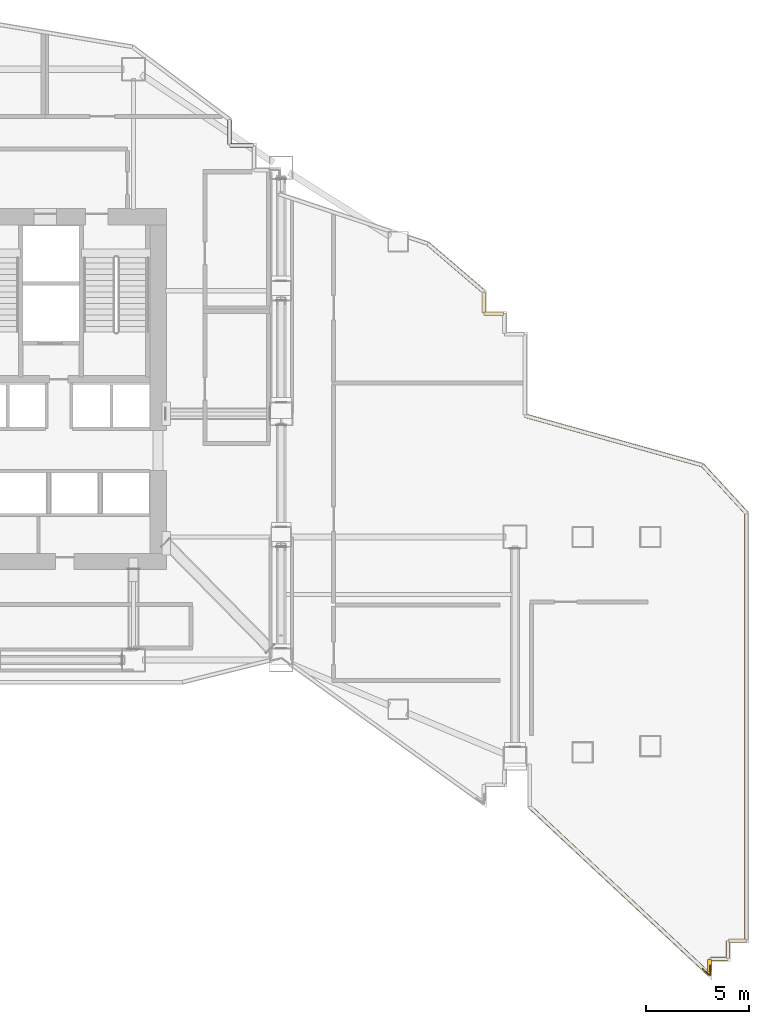
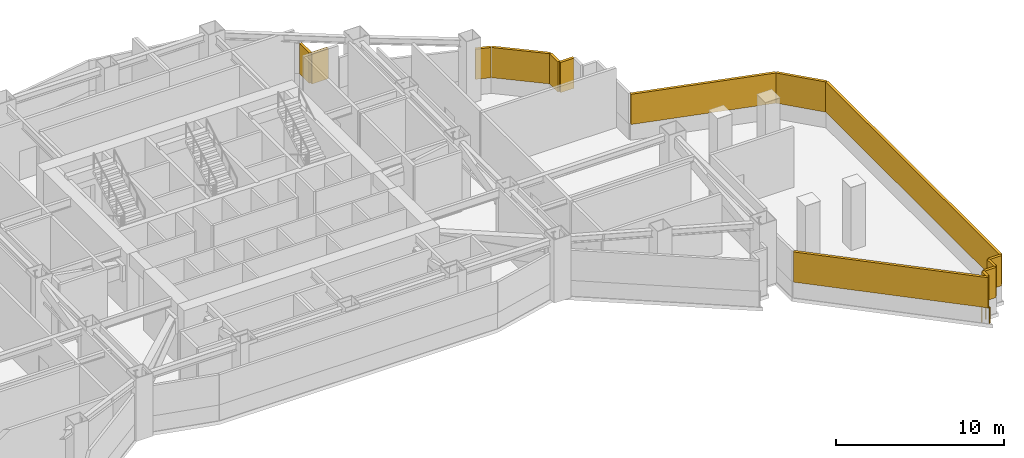
# One storey, part 23 of 23: 14 shading devices, 2 railings.
"""IFC4 building model written with IfcOpenShell, lengths in metres."""

from ifc_helpers import new_model, si_unit, direction, frame, origin, origin_2d, place, context, subcontext, project, spatial, rectangle, circle, extrude, material, type_object, element, save


model = new_model("IFC4")

# Units and contexts
model_context = context("Model", 3, precision=1e-05, world=origin(), true_north=direction((0.0, 1.0)))
body_context = subcontext(model_context, "Body", "Model", "MODEL_VIEW")
ifc_project = project(units=[si_unit("LENGTHUNIT", "METRE"), si_unit("AREAUNIT", "SQUARE_METRE"), si_unit("VOLUMEUNIT", "CUBIC_METRE"), si_unit("PLANEANGLEUNIT", "RADIAN"), si_unit("MASSUNIT", "GRAM", prefix="KILO")], contexts=[model_context])

# Site, building, storey
site_placement = place(None, origin())
site = spatial("IfcSite", under=ifc_project, at=site_placement, CompositionType="ELEMENT")
building_placement = place(site_placement, origin())
building = spatial("IfcBuilding", under=site, at=building_placement, Name="Haolan Belvedere Tower", CompositionType="ELEMENT")
storey_placement = place(building_placement, frame((0.0, 0.0, 89.39990234375)))
storey = spatial("IfcBuildingStorey", under=building, at=storey_placement, Name="L22", CompositionType="ELEMENT", Elevation=89.39990234375)

# Railings
ifc_material_1 = material(Name="Galvanised powder-coated steel guardrail", Category="steel")
railing_type = type_object("IfcRailingType", Name="RL-REF-GRD-1150", PredefinedType="GUARDRAIL", material=ifc_material_1)
railing_1_placement = place(storey_placement, frame((73.7099609375, 6.70703125, 0.0)))
element("IfcRailing", 1, at=railing_1_placement, inside=storey, type_object=railing_type, Name="L22 refuge corner safety guardrail 6A", PredefinedType="GUARDRAIL", context=body_context, shape_type="SweptSolid", body=[
    extrude(circle(Radius=0.02392578125, at=origin_2d()), frame((0.0, 0.0, 1.1259765625), z_axis=(0.0, -1.0, 0.0), x_axis=(1.0, 0.0, 0.0)), (0.0, 0.0, 1.0), 0.469970703125),
    extrude(circle(Radius=0.02099609375, at=origin_2d()), origin(), (0.0, 0.0, 1.0), 1.101806640625),
    extrude(circle(Radius=0.02099609375, at=origin_2d()), frame((0.0, -0.469970703125, 0.0)), (0.0, 0.0, 1.0), 1.101806640625),
])
railing_2_placement = place(storey_placement, frame((73.68798828125, 6.2275390625, 0.0)))
element("IfcRailing", 2, at=railing_2_placement, inside=storey, type_object=railing_type, Name="L22 refuge corner safety guardrail 6B", PredefinedType="GUARDRAIL", context=body_context, shape_type="SweptSolid", body=[
    extrude(circle(Radius=0.02392578125, at=origin_2d()), frame((0.0, 0.0, 1.1259765625), z_axis=(-0.730847953209, 0.682540305982, 0.0), x_axis=(-0.682540305982, -0.730847953209, 0.0)), (0.0, 0.0, 1.0), 0.469970703125),
    extrude(circle(Radius=0.02099609375, at=origin_2d()), origin(), (0.0, 0.0, 1.0), 1.101806640625),
    extrude(circle(Radius=0.02099609375, at=origin_2d()), frame((-0.343505859375, 0.32080078125, 0.0)), (0.0, 0.0, 1.0), 1.101806640625),
])

# Shading devices
ifc_material_2 = material(Name="Anodised champagne-silver aluminium 6063-T6", Category="aluminium")
shading_device_type = type_object("IfcShadingDeviceType", Name="SHD-LOUV-180", PredefinedType="JALOUSIE", material=ifc_material_2)
shading_device_1_placement = place(storey_placement, frame((69.300048828125, 10.364013671875, 1.14990234375), z_axis=(0.0, 0.0, 1.0), x_axis=(0.731056054087, -0.682317408383, 0.0)))
element("IfcShadingDevice", 3, at=shading_device_1_placement, inside=storey, type_object=shading_device_type, Name="L22 refuge storm-proof louvre bank 21.1", PredefinedType="JALOUSIE", context=body_context, shape_type="SweptSolid", body=[
    extrude(rectangle(XDim=11.942626953125, YDim=0.179931640625, at=origin_2d()), origin(), (0.0, 0.0, 1.0), 2.199951171875),
])
shading_device_2_placement = place(storey_placement, frame((73.679931640625, 6.7080078125, 1.14990234375), z_axis=(0.0, 0.0, 1.0), x_axis=(0.0, 1.0, 0.0)))
element("IfcShadingDevice", 4, at=shading_device_2_placement, inside=storey, type_object=shading_device_type, Name="L22 refuge storm-proof louvre bank 22.1", PredefinedType="JALOUSIE", context=body_context, shape_type="SweptSolid", body=[
    extrude(rectangle(XDim=0.583984375, YDim=0.179931640625, at=origin_2d()), origin(), (0.0, 0.0, 1.0), 2.199951171875),
])
for number, where, z_axis, x_axis, name in (
    (5, (74.14501953125, 7.02001953125, 1.14990234375), (0.0, 0.0, 1.0), (1.0, 0.0, 0.0), "L22 refuge storm-proof louvre bank 23.1"),
    (6, (74.580078125, 7.485107421875, 1.14990234375), (0.0, 0.0, 1.0), (0.0, 1.0, 0.0), "L22 refuge storm-proof louvre bank 24.1"),
    (7, (75.044921875, 7.919921875, 1.14990234375), (0.0, 0.0, 1.0), (1.0, 0.0, 0.0), "L22 refuge storm-proof louvre bank 25.1"),
):
    element("IfcShadingDevice", number, at=place(storey_placement, frame(where, z_axis=z_axis, x_axis=x_axis)), inside=storey, type_object=shading_device_type, Name=name, PredefinedType="JALOUSIE", context=body_context, shape_type="SweptSolid", body=[
        extrude(rectangle(XDim=0.830078125, YDim=0.179931640625, at=origin_2d()), origin(), (0.0, 0.0, 1.0), 2.199951171875),
    ])
shading_device_3_placement = place(storey_placement, frame((75.47998046875, 18.3515625, 1.14990234375), z_axis=(0.0, 0.0, 1.0), x_axis=(0.0, 1.0, 0.0)))
element("IfcShadingDevice", 8, at=shading_device_3_placement, inside=storey, type_object=shading_device_type, Name="L22 refuge storm-proof louvre bank 26.1", PredefinedType="JALOUSIE", context=body_context, shape_type="SweptSolid", body=[
    extrude(rectangle(XDim=20.76318359375, YDim=0.179931640625, at=origin_2d()), origin(), (0.0, 0.0, 1.0), 2.199951171875),
])
shading_device_4_placement = place(storey_placement, frame((74.407470703125, 29.92333984375, 1.14990234375), z_axis=(0.0, 0.0, 1.0), x_axis=(-0.675731742251, 0.737147619215, 0.0)))
element("IfcShadingDevice", 9, at=shading_device_4_placement, inside=storey, type_object=shading_device_type, Name="L22 refuge storm-proof louvre bank 27.1", PredefinedType="JALOUSIE", context=body_context, shape_type="SweptSolid", body=[
    extrude(rectangle(XDim=3.134765625, YDim=0.179931640625, at=origin_2d()), origin(), (0.0, 0.0, 1.0), 2.199951171875),
])
shading_device_5_placement = place(storey_placement, frame((69.00732421875, 32.30126953125, 1.14990234375), z_axis=(0.0, 0.0, 1.0), x_axis=(-0.963195414363, 0.268802146102, 0.0)))
element("IfcShadingDevice", 10, at=shading_device_5_placement, inside=storey, type_object=shading_device_type, Name="L22 refuge storm-proof louvre bank 28.1", PredefinedType="JALOUSIE", context=body_context, shape_type="SweptSolid", body=[
    extrude(rectangle(XDim=8.9453125, YDim=0.179931640625, at=origin_2d()), origin(), (0.0, 0.0, 1.0), 2.199951171875),
])
shading_device_6_placement = place(storey_placement, frame((63.1650390625, 38.47998046875, 1.14990234375), z_axis=(0.0, 0.0, 1.0), x_axis=(-1.0, 0.0, 0.0)))
element("IfcShadingDevice", 11, at=shading_device_6_placement, inside=storey, type_object=shading_device_type, Name="L22 refuge storm-proof louvre bank 32.1", PredefinedType="JALOUSIE", context=body_context, shape_type="SweptSolid", body=[
    extrude(rectangle(XDim=0.929931640625, YDim=0.179931640625, at=origin_2d()), origin(), (0.0, 0.0, 1.0), 2.199951171875),
])
shading_device_7_placement = place(storey_placement, frame((62.679931640625, 39.02734375, 1.14990234375), z_axis=(0.0, 0.0, 1.0), x_axis=(0.0, 1.0, 0.0)))
element("IfcShadingDevice", 12, at=shading_device_7_placement, inside=storey, type_object=shading_device_type, Name="L22 refuge storm-proof louvre bank 33.1", PredefinedType="JALOUSIE", context=body_context, shape_type="SweptSolid", body=[
    extrude(rectangle(XDim=0.994873046875, YDim=0.179931640625, at=origin_2d()), origin(), (0.0, 0.0, 1.0), 2.199951171875),
])
shading_device_8_placement = place(storey_placement, frame((61.309814453125, 40.71923828125, 1.14990234375), z_axis=(0.0, 0.0, 1.0), x_axis=(-0.759248590567, 0.650800720438, 0.0)))
element("IfcShadingDevice", 13, at=shading_device_8_placement, inside=storey, type_object=shading_device_type, Name="L22 refuge storm-proof louvre bank 34.1", PredefinedType="JALOUSIE", context=body_context, shape_type="SweptSolid", body=[
    extrude(rectangle(XDim=3.569091796875, YDim=0.179931640625, at=origin_2d()), origin(), (0.0, 0.0, 1.0), 2.199951171875),
])
shading_device_9_placement = place(storey_placement, frame((59.4658203125, 42.051513671875, 1.14990234375), z_axis=(0.0, 0.0, 1.0), x_axis=(-0.948694053476, 0.316195497912, 0.0)))
element("IfcShadingDevice", 14, at=shading_device_9_placement, inside=storey, type_object=shading_device_type, Name="L22 refuge storm-proof louvre bank 35.1", PredefinedType="JALOUSIE", context=body_context, shape_type="SweptSolid", body=[
    extrude(rectangle(XDim=0.958984375, YDim=0.179931640625, at=origin_2d()), origin(), (0.0, 0.0, 1.0), 2.199951171875),
])
shading_device_10_placement = place(storey_placement, frame((50.864990234375, 46.679931640625, 1.14990234375), z_axis=(0.0, 0.0, 1.0), x_axis=(-1.0, 0.0, 0.0)))
element("IfcShadingDevice", 15, at=shading_device_10_placement, inside=storey, type_object=shading_device_type, Name="L22 refuge storm-proof louvre bank 39.1", PredefinedType="JALOUSIE", context=body_context, shape_type="SweptSolid", body=[
    extrude(rectangle(XDim=1.1298828125, YDim=0.179931640625, at=origin_2d()), origin(), (0.0, 0.0, 1.0), 2.199951171875),
])
shading_device_11_placement = place(storey_placement, frame((50.280029296875, 47.324951171875, 1.14990234375), z_axis=(0.0, 0.0, 1.0), x_axis=(0.0, 1.0, 0.0)))
element("IfcShadingDevice", 16, at=shading_device_11_placement, inside=storey, type_object=shading_device_type, Name="L22 refuge storm-proof louvre bank 40.1", PredefinedType="JALOUSIE", context=body_context, shape_type="SweptSolid", body=[
    extrude(rectangle(XDim=1.18994140625, YDim=0.179931640625, at=origin_2d()), origin(), (0.0, 0.0, 1.0), 2.199951171875),
])

save(model, "model.ifc")
